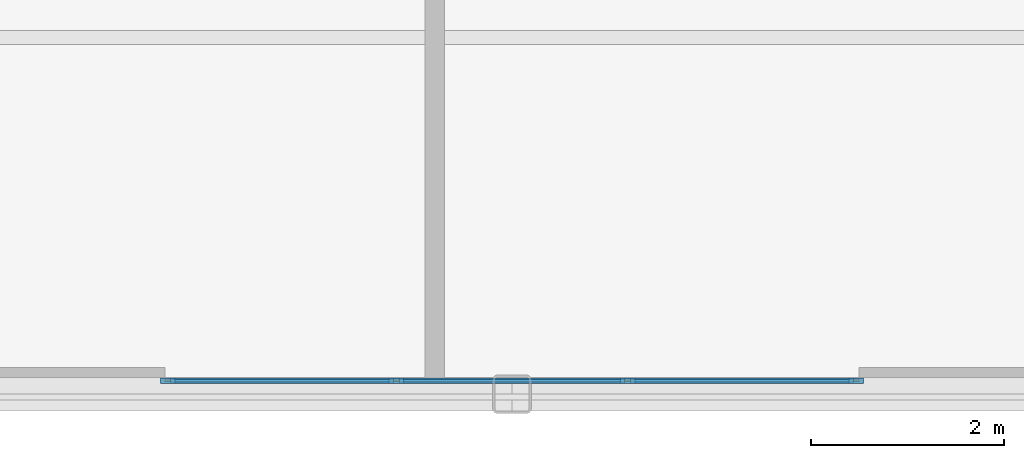
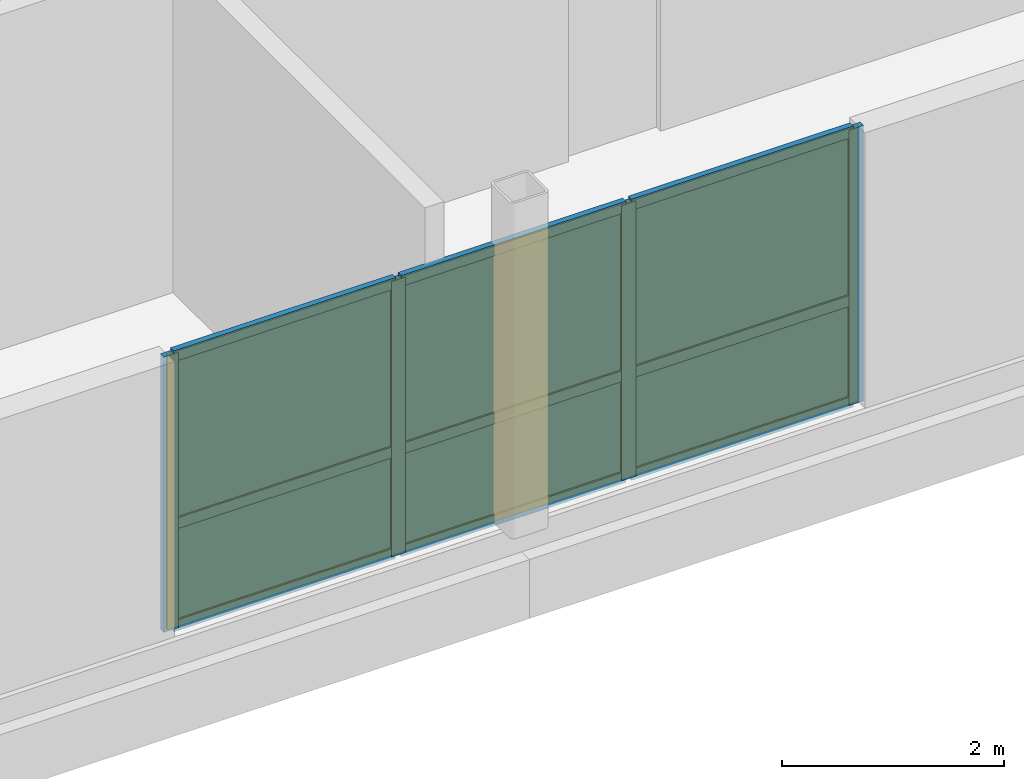
# One storey, part 5 of 10: 13 members, 6 plates, 1 curtain wall.
"""IFC4 building model written with IfcOpenShell, lengths in metres."""

from ifc_helpers import new_model, si_unit, direction, frame, frame_2d, origin, origin_2d, place, context, subcontext, project, spatial, rectangle, extrude, source, transform, mapped, material, layer, layer_set, material_profile, profile_set, type_object, type_shapes, element, aggregate, save


model = new_model("IFC4")

# Units and contexts
model_context = context("Model", 3, precision=1e-05, world=origin(), true_north=direction((0.0, 1.0)))
body_context = subcontext(model_context, "Body", "Model", "MODEL_VIEW")
ifc_project = project(units=[si_unit("LENGTHUNIT", "METRE"), si_unit("AREAUNIT", "SQUARE_METRE"), si_unit("VOLUMEUNIT", "CUBIC_METRE"), si_unit("PLANEANGLEUNIT", "RADIAN"), si_unit("MASSUNIT", "GRAM", prefix="KILO")], contexts=[model_context])

# Member
ifc_material_1 = material(Name="Anodised aluminium 6063-T6", Category="aluminium")
ifc_material_profile_1 = material_profile(ifc_material_1, rectangle(XDim=0.06005859375, YDim=0.14990234375, at=origin_2d()), Name="ALU-MULL-60x150")
ifc_profile_set_1 = profile_set([ifc_material_profile_1], Name="Anodised aluminium 6063-T6")
member_type_1 = type_object("IfcMemberType", Name="CWM-6", PredefinedType="MULLION", material=ifc_profile_set_1)
site_placement = place(None, origin())
building_placement = place(site_placement, origin())
storey_placement = place(building_placement, frame((0.0, 0.0, 303.14990234375)))
member_1_placement = place(storey_placement, frame((-3.570068359375, -16.860107421875, 0.0), z_axis=(0.0, 0.0, 1.0), x_axis=(0.0, 1.0, 0.0)))
member_1 = element("IfcMember", 1, at=member_1_placement, type_object=member_type_1, Name="CWS-6 mullion 1", PredefinedType="MULLION", context=body_context, shape_type="SweptSolid", body=[
    extrude(rectangle(XDim=0.06005859375, YDim=0.14990234375, at=origin_2d()), origin(), (0.0, 0.0, 1.0), 3.03515625),
])

member_2_placement = place(storey_placement, frame((-1.199951171875, -16.860107421875, 0.0), z_axis=(0.0, 0.0, 1.0), x_axis=(0.0, 1.0, 0.0)))
member_2 = element("IfcMember", 2, at=member_2_placement, type_object=member_type_1, Name="CWS-6 mullion 2", PredefinedType="MULLION", context=body_context, shape_type="SweptSolid", body=[
    extrude(rectangle(XDim=0.06005859375, YDim=0.14990234375, at=origin_2d()), origin(), (0.0, 0.0, 1.0), 3.03515625),
])

member_3_placement = place(storey_placement, frame((1.199951171875, -16.860107421875, 0.0), z_axis=(0.0, 0.0, 1.0), x_axis=(0.0, 1.0, 0.0)))
member_3 = element("IfcMember", 3, at=member_3_placement, type_object=member_type_1, Name="CWS-6 mullion 3", PredefinedType="MULLION", context=body_context, shape_type="SweptSolid", body=[
    extrude(rectangle(XDim=0.06005859375, YDim=0.14990234375, at=origin_2d()), origin(), (0.0, 0.0, 1.0), 3.03515625),
])

member_4_placement = place(storey_placement, frame((3.570068359375, -16.860107421875, 0.0), z_axis=(0.0, 0.0, 1.0), x_axis=(0.0, 1.0, 0.0)))
member_4 = element("IfcMember", 4, at=member_4_placement, type_object=member_type_1, Name="CWS-6 mullion 4", PredefinedType="MULLION", context=body_context, shape_type="SweptSolid", body=[
    extrude(rectangle(XDim=0.06005859375, YDim=0.14990234375, at=origin_2d()), origin(), (0.0, 0.0, 1.0), 3.03515625),
])

ifc_material_profile_2 = material_profile(ifc_material_1, rectangle(XDim=0.06005859375, YDim=0.1201171875, at=origin_2d()), Name="ALU-TRAN-60x120")
ifc_profile_set_2 = profile_set([ifc_material_profile_2], Name="Anodised aluminium 6063-T6")
member_type_2 = type_object("IfcMemberType", Name="CWT-6", PredefinedType="USERDEFINED", material=ifc_profile_set_2)
member_5_placement = place(storey_placement, frame((-3.5400390625, -16.860107421875, 0.030029296875), z_axis=(1.0, 0.0, 0.0), x_axis=(0.0, 1.0, 0.0)))
member_5 = element("IfcMember", 5, at=member_5_placement, type_object=member_type_2, Name="CWS-6 transom 1.1", ObjectType="TRANSOM", PredefinedType="USERDEFINED", context=body_context, shape_type="SweptSolid", body=[
    extrude(rectangle(XDim=0.06005859375, YDim=0.1201171875, at=origin_2d()), origin(), (0.0, 0.0, 1.0), 2.31005859375),
])

member_6_placement = place(storey_placement, frame((-3.5400390625, -16.860107421875, 1.1533203125), z_axis=(1.0, 0.0, 0.0), x_axis=(0.0, 1.0, 0.0)))
member_6 = element("IfcMember", 6, at=member_6_placement, type_object=member_type_2, Name="CWS-6 transom 1.2", ObjectType="TRANSOM", PredefinedType="USERDEFINED", context=body_context, shape_type="SweptSolid", body=[
    extrude(rectangle(XDim=0.06005859375, YDim=0.1201171875, at=origin_2d()), origin(), (0.0, 0.0, 1.0), 2.31005859375),
])

member_7_placement = place(storey_placement, frame((-3.5400390625, -16.860107421875, 3.005126953125), z_axis=(1.0, 0.0, 0.0), x_axis=(0.0, 1.0, 0.0)))
member_7 = element("IfcMember", 7, at=member_7_placement, type_object=member_type_2, Name="CWS-6 transom 1.3", ObjectType="TRANSOM", PredefinedType="USERDEFINED", context=body_context, shape_type="SweptSolid", body=[
    extrude(rectangle(XDim=0.06005859375, YDim=0.1201171875, at=origin_2d()), origin(), (0.0, 0.0, 1.0), 2.31005859375),
])

member_8_placement = place(storey_placement, frame((-1.169921875, -16.860107421875, 0.030029296875), z_axis=(1.0, 0.0, 0.0), x_axis=(0.0, 1.0, 0.0)))
member_8 = element("IfcMember", 8, at=member_8_placement, type_object=member_type_2, Name="CWS-6 transom 2.1", ObjectType="TRANSOM", PredefinedType="USERDEFINED", context=body_context, shape_type="SweptSolid", body=[
    extrude(rectangle(XDim=0.06005859375, YDim=0.1201171875, at=origin_2d()), origin(), (0.0, 0.0, 1.0), 2.33984375),
])

member_9_placement = place(storey_placement, frame((-1.169921875, -16.860107421875, 1.1533203125), z_axis=(1.0, 0.0, 0.0), x_axis=(0.0, 1.0, 0.0)))
member_9 = element("IfcMember", 9, at=member_9_placement, type_object=member_type_2, Name="CWS-6 transom 2.2", ObjectType="TRANSOM", PredefinedType="USERDEFINED", context=body_context, shape_type="SweptSolid", body=[
    extrude(rectangle(XDim=0.06005859375, YDim=0.1201171875, at=origin_2d()), origin(), (0.0, 0.0, 1.0), 2.33984375),
])

member_10_placement = place(storey_placement, frame((-1.169921875, -16.860107421875, 3.005126953125), z_axis=(1.0, 0.0, 0.0), x_axis=(0.0, 1.0, 0.0)))
member_10 = element("IfcMember", 10, at=member_10_placement, type_object=member_type_2, Name="CWS-6 transom 2.3", ObjectType="TRANSOM", PredefinedType="USERDEFINED", context=body_context, shape_type="SweptSolid", body=[
    extrude(rectangle(XDim=0.06005859375, YDim=0.1201171875, at=origin_2d()), origin(), (0.0, 0.0, 1.0), 2.33984375),
])

member_11_placement = place(storey_placement, frame((1.22998046875, -16.860107421875, 0.030029296875), z_axis=(1.0, 0.0, 0.0), x_axis=(0.0, 1.0, 0.0)))
member_11 = element("IfcMember", 11, at=member_11_placement, type_object=member_type_2, Name="CWS-6 transom 3.1", ObjectType="TRANSOM", PredefinedType="USERDEFINED", context=body_context, shape_type="SweptSolid", body=[
    extrude(rectangle(XDim=0.06005859375, YDim=0.1201171875, at=origin_2d()), origin(), (0.0, 0.0, 1.0), 2.31005859375),
])

member_12_placement = place(storey_placement, frame((1.22998046875, -16.860107421875, 1.1533203125), z_axis=(1.0, 0.0, 0.0), x_axis=(0.0, 1.0, 0.0)))
member_12 = element("IfcMember", 12, at=member_12_placement, type_object=member_type_2, Name="CWS-6 transom 3.2", ObjectType="TRANSOM", PredefinedType="USERDEFINED", context=body_context, shape_type="SweptSolid", body=[
    extrude(rectangle(XDim=0.06005859375, YDim=0.1201171875, at=origin_2d()), origin(), (0.0, 0.0, 1.0), 2.31005859375),
])

member_13_placement = place(storey_placement, frame((1.22998046875, -16.860107421875, 3.005126953125), z_axis=(1.0, 0.0, 0.0), x_axis=(0.0, 1.0, 0.0)))
member_13 = element("IfcMember", 13, at=member_13_placement, type_object=member_type_2, Name="CWS-6 transom 3.3", ObjectType="TRANSOM", PredefinedType="USERDEFINED", context=body_context, shape_type="SweptSolid", body=[
    extrude(rectangle(XDim=0.06005859375, YDim=0.1201171875, at=origin_2d()), origin(), (0.0, 0.0, 1.0), 2.31005859375),
])

# Plate
ifc_material_2 = material(Name="Insulated solar-control glass", Category="glass")
ifc_layer_1 = layer(ifc_material_2, 0.02392578125, Name="CWP-6")
ifc_layer_set_1 = layer_set([ifc_layer_1], Name="Insulated solar-control glass")
plate_type = type_object("IfcPlateType", Name="CWP-6", PredefinedType="CURTAIN_PANEL", material=ifc_layer_set_1)
shared_shape_1 = source(origin(), body_context, "Body", "SweptSolid", [
    extrude(rectangle(XDim=2.31005859375, YDim=0.02392578125, at=origin_2d()), origin(), (0.0, 0.0, 1.0), 1.063232421875),
])
plate_1_placement = place(storey_placement, frame((-2.385009765625, -16.860107421875, 0.06005859375), z_axis=(0.0, 0.0, 1.0), x_axis=(1.0, 0.0, 0.0)))
plate_1 = element("IfcPlate", 14, at=plate_1_placement, type_object=plate_type, Name="CWS-6 panel 1.1", PredefinedType="CURTAIN_PANEL", context=body_context, shape_type="MappedRepresentation", body=[
    mapped(shared_shape_1, transform((0.0, 0.0, 0.0), scale=1.0)),
])

plate_2_placement = place(storey_placement, frame((2.385009765625, -16.860107421875, 0.06005859375), z_axis=(0.0, 0.0, 1.0), x_axis=(1.0, 0.0, 0.0)))
plate_2 = element("IfcPlate", 15, at=plate_2_placement, type_object=plate_type, Name="CWS-6 panel 3.1", PredefinedType="CURTAIN_PANEL", context=body_context, shape_type="MappedRepresentation", body=[
    mapped(shared_shape_1, transform((0.0, 0.0, 0.0), scale=1.0)),
])

shared_shape_2 = source(origin(), body_context, "Body", "SweptSolid", [
    extrude(rectangle(XDim=2.31005859375, YDim=0.02392578125, at=origin_2d()), origin(), (0.0, 0.0, 1.0), 1.791748046875),
])
plate_3_placement = place(storey_placement, frame((-2.385009765625, -16.860107421875, 1.18359375), z_axis=(0.0, 0.0, 1.0), x_axis=(1.0, 0.0, 0.0)))
plate_3 = element("IfcPlate", 16, at=plate_3_placement, type_object=plate_type, Name="CWS-6 panel 1.2", PredefinedType="CURTAIN_PANEL", context=body_context, shape_type="MappedRepresentation", body=[
    mapped(shared_shape_2, transform((0.0, 0.0, 0.0), scale=1.0)),
])

plate_4_placement = place(storey_placement, frame((2.385009765625, -16.860107421875, 1.18359375), z_axis=(0.0, 0.0, 1.0), x_axis=(1.0, 0.0, 0.0)))
plate_4 = element("IfcPlate", 17, at=plate_4_placement, type_object=plate_type, Name="CWS-6 panel 3.2", PredefinedType="CURTAIN_PANEL", context=body_context, shape_type="MappedRepresentation", body=[
    mapped(shared_shape_2, transform((0.0, 0.0, 0.0), scale=1.0)),
])

shared_shape_3 = source(origin(), body_context, "Body", "SweptSolid", [
    extrude(rectangle(XDim=2.340087890625, YDim=0.02392578125, at=origin_2d()), origin(), (0.0, 0.0, 1.0), 1.063232421875),
])
plate_5_placement = place(storey_placement, frame((0.0, -16.860107421875, 0.06005859375), z_axis=(0.0, 0.0, 1.0), x_axis=(1.0, 0.0, 0.0)))
plate_5 = element("IfcPlate", 18, at=plate_5_placement, type_object=plate_type, Name="CWS-6 panel 2.1", PredefinedType="CURTAIN_PANEL", context=body_context, shape_type="MappedRepresentation", body=[
    mapped(shared_shape_3, transform((0.0, 0.0, 0.0), scale=1.0)),
])

shared_shape_4 = source(origin(), body_context, "Body", "SweptSolid", [
    extrude(rectangle(XDim=2.340087890625, YDim=0.02392578125, at=origin_2d()), origin(), (0.0, 0.0, 1.0), 1.791748046875),
])
type_shapes(plate_type, [shared_shape_1, shared_shape_2, shared_shape_3, shared_shape_4])
plate_6_placement = place(storey_placement, frame((0.0, -16.860107421875, 1.18359375), z_axis=(0.0, 0.0, 1.0), x_axis=(1.0, 0.0, 0.0)))
plate_6 = element("IfcPlate", 19, at=plate_6_placement, type_object=plate_type, Name="CWS-6 panel 2.2", PredefinedType="CURTAIN_PANEL", context=body_context, shape_type="MappedRepresentation", body=[
    mapped(shared_shape_4, transform((0.0, 0.0, 0.0), scale=1.0)),
])

# Site, building, storey
site = spatial("IfcSite", under=ifc_project, at=site_placement, CompositionType="ELEMENT")
building = spatial("IfcBuilding", under=site, at=building_placement, Name="Nuvemarco Arch Tower", CompositionType="ELEMENT")
storey = spatial("IfcBuildingStorey", under=building, at=storey_placement, Name="L80", CompositionType="ELEMENT", Elevation=303.14990234375)

# Curtain wall
ifc_layer_2 = layer(ifc_material_2, 0.14990234375, Name="CW-SYS-6")
ifc_layer_set_2 = layer_set([ifc_layer_2], Name="Insulated solar-control glass")
curtain_wall_type = type_object("IfcCurtainWallType", Name="CW-SYS-6", PredefinedType="NOTDEFINED", material=ifc_layer_set_2)
curtain_wall_placement = place(storey_placement, frame((-3.60009765625, -16.860107421875, 0.0), z_axis=(0.0, 0.0, 1.0), x_axis=(1.0, 0.0, 0.0)))
curtain_wall = element("IfcCurtainWall", 20, at=curtain_wall_placement, inside=storey, type_object=curtain_wall_type, Name="L80 curtain wall CWS-6", PredefinedType="NOTDEFINED", context=body_context, shape_type="SweptSolid", body=[
    extrude(rectangle(XDim=7.2001953125, YDim=0.02001953125, at=frame_2d((3.60009765625, 0.0))), origin(), (0.0, 0.0, 1.0), 3.03515625),
])

aggregate(curtain_wall, [member_1, member_2, member_3, member_4, member_5, member_6, member_7, plate_1, plate_3, member_8, member_9, member_10, plate_5, plate_6, member_11, member_12, member_13, plate_2, plate_4])

save(model, "model.ifc")
